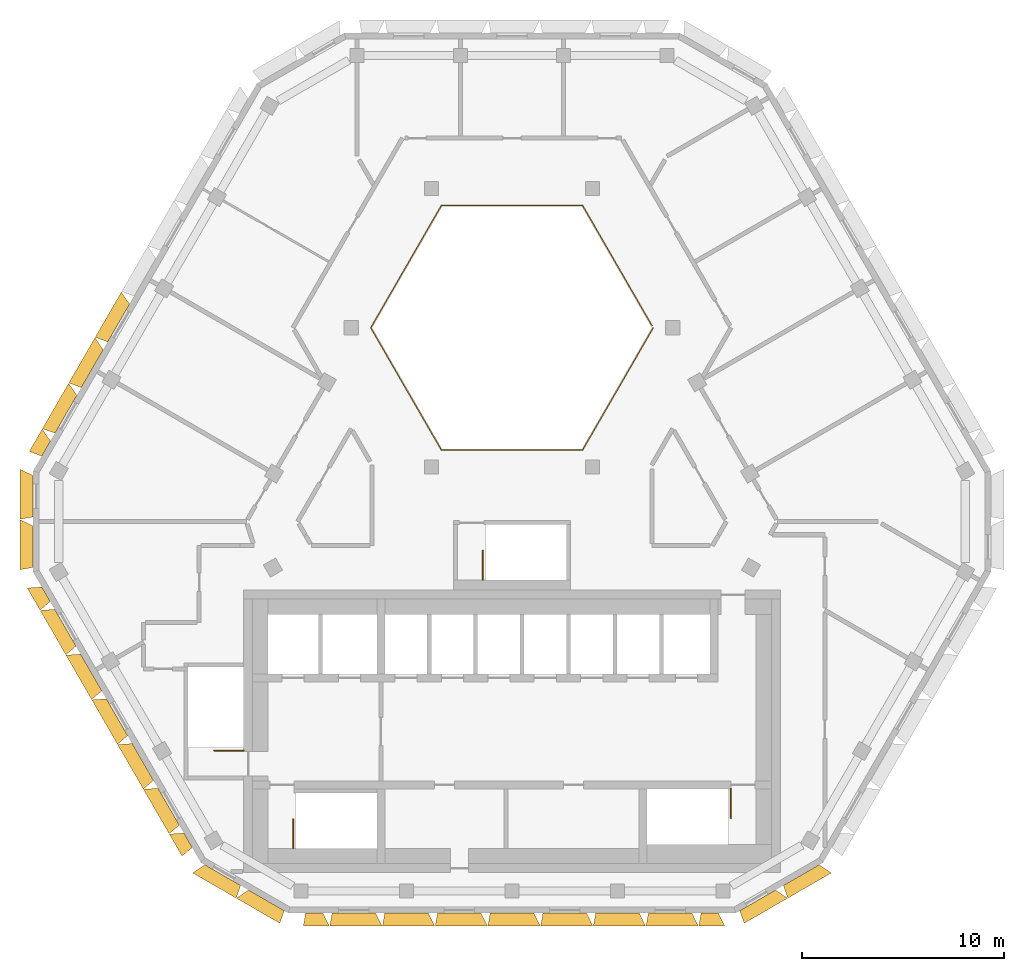
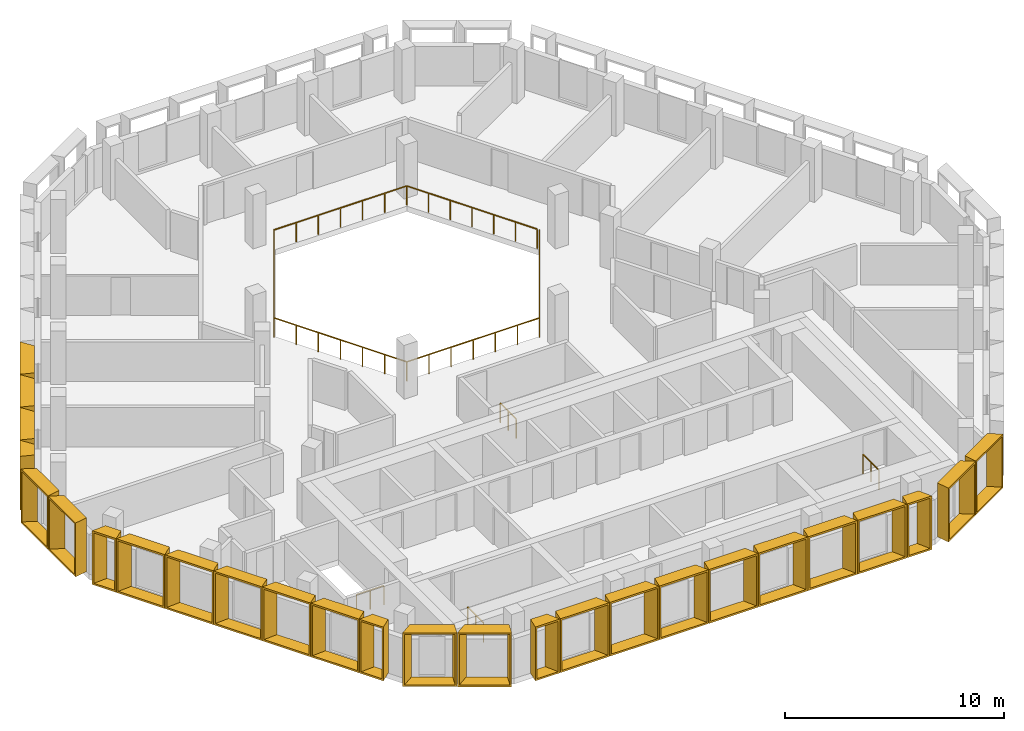
# One storey, part 6 of 7: 26 shading devices, 5 railings.
"""IFC4 building model written with IfcOpenShell, lengths in metres."""

from ifc_helpers import new_model, entity, si_unit, direction, frame, origin, origin_2d, place, context, subcontext, project, spatial, rectangle, extrude, source, transform, mapped, material, type_object, type_shapes, element, save


model = new_model("IFC4")

# Units and contexts
model_context = context("Model", 3, precision=1e-05, world=origin(), true_north=direction((0.0, 1.0)))
body_context = subcontext(model_context, "Body", "Model", "MODEL_VIEW")
ifc_project = project(units=[si_unit("LENGTHUNIT", "METRE"), si_unit("AREAUNIT", "SQUARE_METRE"), si_unit("VOLUMEUNIT", "CUBIC_METRE"), si_unit("PLANEANGLEUNIT", "RADIAN"), si_unit("MASSUNIT", "GRAM", prefix="KILO")], contexts=[model_context])

# Site, building, storey
site_placement = place(None, origin())
site = spatial("IfcSite", under=ifc_project, at=site_placement, CompositionType="ELEMENT")
building_placement = place(site_placement, origin())
building = spatial("IfcBuilding", under=site, at=building_placement, Name="Beryl Residences", CompositionType="ELEMENT")
storey_placement = place(building_placement, frame((0.0, 0.0, 241.800048828125)))
storey = spatial("IfcBuildingStorey", under=building, at=storey_placement, Name="L75", CompositionType="ELEMENT", Elevation=241.800048828125)

# Railing
ifc_material_1 = material(Name="Stainless steel balustrade with glass infill", Category="steel")
railing_type_1 = type_object("IfcRailingType", Name="EG1 edge guard 1100 mm", PredefinedType="GUARDRAIL", material=ifc_material_1)
railing_1_placement = place(storey_placement, frame((6.9970703125, 8.0, 0.0)))
element("IfcRailing", 1, at=railing_1_placement, inside=storey, type_object=railing_type_1, Name="L75 atrium guard", PredefinedType="GUARDRAIL", context=body_context, shape_type="SweptSolid", body=[
    extrude(rectangle(XDim=0.048095703125, YDim=0.048095703125, at=origin_2d()), frame((0.0, 0.0, 1.076171875), z_axis=(-0.499921796684, -0.866070549782, 0.0), x_axis=(0.866070549782, -0.499921796684, 0.0)), (0.0, 0.0, 1.0), 6.9970703125),
    extrude(rectangle(XDim=0.048095703125, YDim=0.048095703125, at=origin_2d()), frame((-3.498046875, -6.06005859375, 1.076171875), z_axis=(-1.0, 0.0, 0.0), x_axis=(0.0, -1.0, 0.0)), (0.0, 0.0, 1.0), 6.998046875),
    extrude(rectangle(XDim=0.048095703125, YDim=0.048095703125, at=origin_2d()), frame((-10.49609375, -6.06005859375, 1.076171875), z_axis=(-0.499921796684, 0.866070549782, 0.0), x_axis=(-0.866070549782, -0.499921796684, 0.0)), (0.0, 0.0, 1.0), 6.9970703125),
    extrude(rectangle(XDim=0.048095703125, YDim=0.048095703125, at=origin_2d()), frame((-13.994140625, 0.0, 1.076171875), z_axis=(0.499921796684, 0.866070549782, 0.0), x_axis=(-0.866070549782, 0.499921796684, 0.0)), (0.0, 0.0, 1.0), 6.9970703125),
    extrude(rectangle(XDim=0.048095703125, YDim=0.048095703125, at=origin_2d()), frame((-10.49609375, 6.06005859375, 1.076171875), z_axis=(1.0, 0.0, 0.0), x_axis=(0.0, 1.0, 0.0)), (0.0, 0.0, 1.0), 6.998046875),
    extrude(rectangle(XDim=0.048095703125, YDim=0.048095703125, at=origin_2d()), frame((-3.498046875, 6.06005859375, 1.076171875), z_axis=(0.499919131929, -0.866072087953, 0.0), x_axis=(0.866072087953, 0.499919131929, 0.0)), (0.0, 0.0, 1.0), 6.877197265625),
    extrude(rectangle(XDim=0.0419921875, YDim=0.0419921875, at=origin_2d()), origin(), (0.0, 0.0, 1.0), 1.052001953125),
    extrude(rectangle(XDim=0.0419921875, YDim=0.0419921875, at=origin_2d()), frame((-0.5830078125, -1.010009765625, 0.0)), (0.0, 0.0, 1.0), 1.052001953125),
    extrude(rectangle(XDim=0.0419921875, YDim=0.0419921875, at=origin_2d()), frame((-1.166015625, -2.02001953125, 0.0)), (0.0, 0.0, 1.0), 1.052001953125),
    extrude(rectangle(XDim=0.0419921875, YDim=0.0419921875, at=origin_2d()), frame((-1.7490234375, -3.030029296875, 0.0)), (0.0, 0.0, 1.0), 1.052001953125),
    extrude(rectangle(XDim=0.0419921875, YDim=0.0419921875, at=origin_2d()), frame((-2.33203125, -4.0400390625, 0.0)), (0.0, 0.0, 1.0), 1.052001953125),
    extrude(rectangle(XDim=0.0419921875, YDim=0.0419921875, at=origin_2d()), frame((-2.9150390625, -5.050048828125, 0.0)), (0.0, 0.0, 1.0), 1.052001953125),
    extrude(rectangle(XDim=0.0419921875, YDim=0.0419921875, at=origin_2d()), frame((-3.498046875, -6.06005859375, 0.0)), (0.0, 0.0, 1.0), 1.052001953125),
    extrude(rectangle(XDim=0.0419921875, YDim=0.0419921875, at=origin_2d()), frame((-4.664306640625, -6.06005859375, 0.0)), (0.0, 0.0, 1.0), 1.052001953125),
    extrude(rectangle(XDim=0.0419921875, YDim=0.0419921875, at=origin_2d()), frame((-5.830810546875, -6.06005859375, 0.0)), (0.0, 0.0, 1.0), 1.052001953125),
    extrude(rectangle(XDim=0.0419921875, YDim=0.0419921875, at=origin_2d()), frame((-6.9970703125, -6.06005859375, 0.0)), (0.0, 0.0, 1.0), 1.052001953125),
    extrude(rectangle(XDim=0.0419921875, YDim=0.0419921875, at=origin_2d()), frame((-8.163330078125, -6.06005859375, 0.0)), (0.0, 0.0, 1.0), 1.052001953125),
    extrude(rectangle(XDim=0.0419921875, YDim=0.0419921875, at=origin_2d()), frame((-9.329833984375, -6.06005859375, 0.0)), (0.0, 0.0, 1.0), 1.052001953125),
    extrude(rectangle(XDim=0.0419921875, YDim=0.0419921875, at=origin_2d()), frame((-10.49609375, -6.06005859375, 0.0)), (0.0, 0.0, 1.0), 1.052001953125),
    extrude(rectangle(XDim=0.0419921875, YDim=0.0419921875, at=origin_2d()), frame((-11.0791015625, -5.050048828125, 0.0)), (0.0, 0.0, 1.0), 1.052001953125),
    extrude(rectangle(XDim=0.0419921875, YDim=0.0419921875, at=origin_2d()), frame((-11.662109375, -4.0400390625, 0.0)), (0.0, 0.0, 1.0), 1.052001953125),
    extrude(rectangle(XDim=0.0419921875, YDim=0.0419921875, at=origin_2d()), frame((-12.2451171875, -3.030029296875, 0.0)), (0.0, 0.0, 1.0), 1.052001953125),
    extrude(rectangle(XDim=0.0419921875, YDim=0.0419921875, at=origin_2d()), frame((-12.828125, -2.02001953125, 0.0)), (0.0, 0.0, 1.0), 1.052001953125),
    extrude(rectangle(XDim=0.0419921875, YDim=0.0419921875, at=origin_2d()), frame((-13.4111328125, -1.010009765625, 0.0)), (0.0, 0.0, 1.0), 1.052001953125),
    extrude(rectangle(XDim=0.0419921875, YDim=0.0419921875, at=origin_2d()), frame((-13.994140625, 0.0, 0.0)), (0.0, 0.0, 1.0), 1.052001953125),
    extrude(rectangle(XDim=0.0419921875, YDim=0.0419921875, at=origin_2d()), frame((-13.4111328125, 1.010009765625, 0.0)), (0.0, 0.0, 1.0), 1.052001953125),
    extrude(rectangle(XDim=0.0419921875, YDim=0.0419921875, at=origin_2d()), frame((-12.828125, 2.02001953125, 0.0)), (0.0, 0.0, 1.0), 1.052001953125),
    extrude(rectangle(XDim=0.0419921875, YDim=0.0419921875, at=origin_2d()), frame((-12.2451171875, 3.030029296875, 0.0)), (0.0, 0.0, 1.0), 1.052001953125),
    extrude(rectangle(XDim=0.0419921875, YDim=0.0419921875, at=origin_2d()), frame((-11.662109375, 4.0400390625, 0.0)), (0.0, 0.0, 1.0), 1.052001953125),
    extrude(rectangle(XDim=0.0419921875, YDim=0.0419921875, at=origin_2d()), frame((-11.0791015625, 5.050048828125, 0.0)), (0.0, 0.0, 1.0), 1.052001953125),
    extrude(rectangle(XDim=0.0419921875, YDim=0.0419921875, at=origin_2d()), frame((-10.49609375, 6.06005859375, 0.0)), (0.0, 0.0, 1.0), 1.052001953125),
    extrude(rectangle(XDim=0.0419921875, YDim=0.0419921875, at=origin_2d()), frame((-9.329833984375, 6.06005859375, 0.0)), (0.0, 0.0, 1.0), 1.052001953125),
    extrude(rectangle(XDim=0.0419921875, YDim=0.0419921875, at=origin_2d()), frame((-8.163330078125, 6.06005859375, 0.0)), (0.0, 0.0, 1.0), 1.052001953125),
    extrude(rectangle(XDim=0.0419921875, YDim=0.0419921875, at=origin_2d()), frame((-6.9970703125, 6.06005859375, 0.0)), (0.0, 0.0, 1.0), 1.052001953125),
    extrude(rectangle(XDim=0.0419921875, YDim=0.0419921875, at=origin_2d()), frame((-5.830810546875, 6.06005859375, 0.0)), (0.0, 0.0, 1.0), 1.052001953125),
    extrude(rectangle(XDim=0.0419921875, YDim=0.0419921875, at=origin_2d()), frame((-4.664306640625, 6.06005859375, 0.0)), (0.0, 0.0, 1.0), 1.052001953125),
    extrude(rectangle(XDim=0.0419921875, YDim=0.0419921875, at=origin_2d()), frame((-3.498046875, 6.06005859375, 0.0)), (0.0, 0.0, 1.0), 1.052001953125),
    extrude(rectangle(XDim=0.0419921875, YDim=0.0419921875, at=origin_2d()), frame((-2.925048828125, 5.0673828125, 0.0)), (0.0, 0.0, 1.0), 1.052001953125),
    extrude(rectangle(XDim=0.0419921875, YDim=0.0419921875, at=origin_2d()), frame((-2.35205078125, 4.07470703125, 0.0)), (0.0, 0.0, 1.0), 1.052001953125),
    extrude(rectangle(XDim=0.0419921875, YDim=0.0419921875, at=origin_2d()), frame((-1.779052734375, 3.08203125, 0.0)), (0.0, 0.0, 1.0), 1.052001953125),
    extrude(rectangle(XDim=0.0419921875, YDim=0.0419921875, at=origin_2d()), frame((-1.2060546875, 2.08935546875, 0.0)), (0.0, 0.0, 1.0), 1.052001953125),
    extrude(rectangle(XDim=0.0419921875, YDim=0.0419921875, at=origin_2d()), frame((-0.633056640625, 1.0966796875, 0.0)), (0.0, 0.0, 1.0), 1.052001953125),
    extrude(rectangle(XDim=0.0419921875, YDim=0.0419921875, at=origin_2d()), frame((-0.06005859375, 0.10400390625, 0.0)), (0.0, 0.0, 1.0), 1.052001953125),
])

# Shading devices
ifc_material_2 = material(Name="Aluminium pale anodised", Category="aluminium")
shading_device_type_1 = type_object("IfcShadingDeviceType", Name="FR128-65B OUTER SKIN frame 650 mm deep, splay 26/10 deg, 1280 x 3000 mm cell", PredefinedType="USERDEFINED", material=ifc_material_2)
cartesian_point_1 = entity("IfcCartesianPoint", [-0.4140625, 0.0])
cartesian_point_2 = entity("IfcCartesianPoint", [-0.324951171875, 0.10009765625])
cartesian_point_3 = entity("IfcCartesianPoint", [-0.73095703125, 0.0])
cartesian_point_4 = entity("IfcCartesianPoint", [-0.64208984375, 0.10009765625])
shared_shape_1 = source(origin(), body_context, "Body", "SweptSolid", [
    entity("IfcExtrudedAreaSolidTapered", entity("IfcArbitraryProfileDefWithVoids", "AREA", None, entity("IfcPolyline", [cartesian_point_1, entity("IfcCartesianPoint", [0.4140625, 0.0]), entity("IfcCartesianPoint", [0.4140625, 3.0]), entity("IfcCartesianPoint", [-0.4140625, 3.0]), cartesian_point_1]), [entity("IfcPolyline", [cartesian_point_2, entity("IfcCartesianPoint", [0.332763671875, 0.10009765625]), entity("IfcCartesianPoint", [0.332763671875, 2.89990234375]), entity("IfcCartesianPoint", [-0.324951171875, 2.89990234375]), cartesian_point_2])]), entity("IfcAxis2Placement3D", entity("IfcCartesianPoint", [0.0, 0.0, 0.0]), entity("IfcDirection", [0.0, 1.0, 0.0]), entity("IfcDirection", [-1.0, 0.0, 0.0])), entity("IfcDirection", [0.0, 0.0, 1.0]), 0.64990234375, entity("IfcArbitraryProfileDefWithVoids", "AREA", None, entity("IfcPolyline", [cartesian_point_3, entity("IfcCartesianPoint", [0.528564453125, 0.0]), entity("IfcCartesianPoint", [0.528564453125, 3.0]), entity("IfcCartesianPoint", [-0.73095703125, 3.0]), cartesian_point_3]), [entity("IfcPolyline", [cartesian_point_4, entity("IfcCartesianPoint", [0.447265625, 0.10009765625]), entity("IfcCartesianPoint", [0.447265625, 2.89990234375]), entity("IfcCartesianPoint", [-0.64208984375, 2.89990234375]), cartesian_point_4])])),
])
type_shapes(shading_device_type_1, [shared_shape_1])
for number, where, z_axis, x_axis, name in (
    (2, (-23.091064453125, -5.2041015625, 0.0), (0.0, 0.0, 1.0), (-0.5, 0.866025403784, 0.0), "FR128-65B frame L75 SW 1"),
    (3, (-16.052978515625, -17.39501953125, 0.0), (0.0, 0.0, 1.0), (-0.5, 0.866025403784, 0.0), "FR128-65B frame L75 SW 7"),
):
    element("IfcShadingDevice", number, at=place(storey_placement, frame(where, z_axis=z_axis, x_axis=x_axis)), inside=storey, type_object=shading_device_type_1, Name=name, ObjectType="OUTER SKIN", PredefinedType="USERDEFINED", context=body_context, shape_type="MappedRepresentation", body=[
        mapped(shared_shape_1, transform((0.0, 0.0, 0.0))),
    ])
ifc_material_3 = material(Name="Aluminium pale anodised", Category="aluminium")
shading_device_type_2 = type_object("IfcShadingDeviceType", Name="FR131-65B OUTER SKIN frame 650 mm deep, splay 26/10 deg, 1310 x 3000 mm cell", PredefinedType="USERDEFINED", material=ifc_material_3)
cartesian_point_5 = entity("IfcCartesianPoint", [-0.428955078125, 0.0])
cartesian_point_6 = entity("IfcCartesianPoint", [-0.340087890625, 0.10009765625])
cartesian_point_7 = entity("IfcCartesianPoint", [-0.74609375, 0.0])
cartesian_point_8 = entity("IfcCartesianPoint", [-0.656982421875, 0.10009765625])
shared_shape_2 = source(origin(), body_context, "Body", "SweptSolid", [
    entity("IfcExtrudedAreaSolidTapered", entity("IfcArbitraryProfileDefWithVoids", "AREA", None, entity("IfcPolyline", [cartesian_point_5, entity("IfcCartesianPoint", [0.428955078125, 0.0]), entity("IfcCartesianPoint", [0.428955078125, 3.0]), entity("IfcCartesianPoint", [-0.428955078125, 3.0]), cartesian_point_5]), [entity("IfcPolyline", [cartesian_point_6, entity("IfcCartesianPoint", [0.34765625, 0.10009765625]), entity("IfcCartesianPoint", [0.34765625, 2.89990234375]), entity("IfcCartesianPoint", [-0.340087890625, 2.89990234375]), cartesian_point_6])]), entity("IfcAxis2Placement3D", entity("IfcCartesianPoint", [0.0, 0.0, 0.0]), entity("IfcDirection", [0.0, 1.0, 0.0]), entity("IfcDirection", [-1.0, 0.0, 0.0])), entity("IfcDirection", [0.0, 0.0, 1.0]), 0.64990234375, entity("IfcArbitraryProfileDefWithVoids", "AREA", None, entity("IfcPolyline", [cartesian_point_7, entity("IfcCartesianPoint", [0.543701171875, 0.0]), entity("IfcCartesianPoint", [0.543701171875, 3.0]), entity("IfcCartesianPoint", [-0.74609375, 3.0]), cartesian_point_7]), [entity("IfcPolyline", [cartesian_point_8, entity("IfcCartesianPoint", [0.46240234375, 0.10009765625]), entity("IfcCartesianPoint", [0.46240234375, 2.89990234375]), entity("IfcCartesianPoint", [-0.656982421875, 2.89990234375]), cartesian_point_8])])),
])
type_shapes(shading_device_type_2, [shared_shape_2])
shading_device_placement = place(storey_placement, frame((-23.083984375, 2.01611328125, 0.0), z_axis=(0.0, 0.0, 1.0), x_axis=(0.5, 0.866025403784, 0.0)))
element("IfcShadingDevice", 4, at=shading_device_placement, inside=storey, type_object=shading_device_type_2, Name="FR131-65B frame L75 NW 9", ObjectType="OUTER SKIN", PredefinedType="USERDEFINED", context=body_context, shape_type="MappedRepresentation", body=[
    mapped(shared_shape_2, transform((0.0, 0.0, 0.0))),
])
ifc_material_4 = material(Name="Aluminium pale anodised", Category="aluminium")
shading_device_type_3 = type_object("IfcShadingDeviceType", Name="FR131-65C OUTER SKIN frame 650 mm deep, splay 10/26 deg, 1310 x 3000 mm cell", PredefinedType="USERDEFINED", material=ifc_material_4)
cartesian_point_9 = entity("IfcCartesianPoint", [-0.428955078125, 0.0])
cartesian_point_10 = entity("IfcCartesianPoint", [-0.34765625, 0.10009765625])
cartesian_point_11 = entity("IfcCartesianPoint", [-0.543701171875, 0.0])
cartesian_point_12 = entity("IfcCartesianPoint", [-0.46240234375, 0.10009765625])
shared_shape_3 = source(origin(), body_context, "Body", "SweptSolid", [
    entity("IfcExtrudedAreaSolidTapered", entity("IfcArbitraryProfileDefWithVoids", "AREA", None, entity("IfcPolyline", [cartesian_point_9, entity("IfcCartesianPoint", [0.428955078125, 0.0]), entity("IfcCartesianPoint", [0.428955078125, 3.0]), entity("IfcCartesianPoint", [-0.428955078125, 3.0]), cartesian_point_9]), [entity("IfcPolyline", [cartesian_point_10, entity("IfcCartesianPoint", [0.340087890625, 0.10009765625]), entity("IfcCartesianPoint", [0.340087890625, 2.89990234375]), entity("IfcCartesianPoint", [-0.34765625, 2.89990234375]), cartesian_point_10])]), entity("IfcAxis2Placement3D", entity("IfcCartesianPoint", [0.0, 0.0, 0.0]), entity("IfcDirection", [0.0, 1.0, 0.0]), entity("IfcDirection", [-1.0, 0.0, 0.0])), entity("IfcDirection", [0.0, 0.0, 1.0]), 0.64990234375, entity("IfcArbitraryProfileDefWithVoids", "AREA", None, entity("IfcPolyline", [cartesian_point_11, entity("IfcCartesianPoint", [0.74609375, 0.0]), entity("IfcCartesianPoint", [0.74609375, 3.0]), entity("IfcCartesianPoint", [-0.543701171875, 3.0]), cartesian_point_11]), [entity("IfcPolyline", [cartesian_point_12, entity("IfcCartesianPoint", [0.656982421875, 0.10009765625]), entity("IfcCartesianPoint", [0.656982421875, 2.89990234375]), entity("IfcCartesianPoint", [-0.46240234375, 2.89990234375]), cartesian_point_12])])),
])
type_shapes(shading_device_type_3, [shared_shape_3])
for number, where, z_axis, x_axis, name in (
    (5, (-9.797119140625, -21.0, 0.0), (0.0, 0.0, 1.0), (-1.0, 0.0, 0.0), "FR131-65C frame L75 S 1"),
    (6, (9.797119140625, -21.0, 0.0), (0.0, 0.0, 1.0), (-1.0, 0.0, 0.0), "FR131-65C frame L75 S 9"),
):
    element("IfcShadingDevice", number, at=place(storey_placement, frame(where, z_axis=z_axis, x_axis=x_axis)), inside=storey, type_object=shading_device_type_3, Name=name, ObjectType="OUTER SKIN", PredefinedType="USERDEFINED", context=body_context, shape_type="MappedRepresentation", body=[
        mapped(shared_shape_3, transform((0.0, 0.0, 0.0))),
    ])
ifc_material_5 = material(Name="Aluminium pale anodised", Category="aluminium")
shading_device_type_4 = type_object("IfcShadingDeviceType", Name="FR250-65B OUTER SKIN frame 650 mm deep, splay 26/10 deg, 2500 x 3000 mm cell", PredefinedType="USERDEFINED", material=ifc_material_5)
cartesian_point_13 = entity("IfcCartesianPoint", [-1.02392578125, 0.0])
cartesian_point_14 = entity("IfcCartesianPoint", [-0.93505859375, 0.10009765625])
cartesian_point_15 = entity("IfcCartesianPoint", [-1.341064453125, 0.0])
cartesian_point_16 = entity("IfcCartesianPoint", [-1.251953125, 0.10009765625])
shared_shape_4 = source(origin(), body_context, "Body", "SweptSolid", [
    entity("IfcExtrudedAreaSolidTapered", entity("IfcArbitraryProfileDefWithVoids", "AREA", None, entity("IfcPolyline", [cartesian_point_13, entity("IfcCartesianPoint", [1.02392578125, 0.0]), entity("IfcCartesianPoint", [1.02392578125, 3.0]), entity("IfcCartesianPoint", [-1.02392578125, 3.0]), cartesian_point_13]), [entity("IfcPolyline", [cartesian_point_14, entity("IfcCartesianPoint", [0.94287109375, 0.10009765625]), entity("IfcCartesianPoint", [0.94287109375, 2.89990234375]), entity("IfcCartesianPoint", [-0.93505859375, 2.89990234375]), cartesian_point_14])]), entity("IfcAxis2Placement3D", entity("IfcCartesianPoint", [0.0, 0.0, 0.0]), entity("IfcDirection", [0.0, 1.0, 0.0]), entity("IfcDirection", [-1.0, 0.0, 0.0])), entity("IfcDirection", [0.0, 0.0, 1.0]), 0.64990234375, entity("IfcArbitraryProfileDefWithVoids", "AREA", None, entity("IfcPolyline", [cartesian_point_15, entity("IfcCartesianPoint", [1.138671875, 0.0]), entity("IfcCartesianPoint", [1.138671875, 3.0]), entity("IfcCartesianPoint", [-1.341064453125, 3.0]), cartesian_point_15]), [entity("IfcPolyline", [cartesian_point_16, entity("IfcCartesianPoint", [1.057373046875, 0.10009765625]), entity("IfcCartesianPoint", [1.057373046875, 2.89990234375]), entity("IfcCartesianPoint", [-1.251953125, 2.89990234375]), cartesian_point_16])])),
])
type_shapes(shading_device_type_4, [shared_shape_4])
for number, where, z_axis, x_axis, name in (
    (7, (-23.72900390625, -0.35009765625, 0.0), (0.0, 0.0, 1.0), (0.0, 1.0, 0.0), "FR250-65B frame L75 NW-SW 1"),
    (8, (-23.72900390625, -2.85009765625, 0.0), (0.0, 0.0, 1.0), (0.0, 1.0, 0.0), "FR250-65B frame L75 NW-SW 2"),
    (9, (-14.33203125, -19.125, 0.0), (0.0, 0.0, 1.0), (-0.866025403784, 0.5, 0.0), "FR250-65B frame L75 SW-S 1"),
    (10, (-12.16796875, -20.375, 0.0), (0.0, 0.0, 1.0), (-0.866025403784, 0.5, 0.0), "FR250-65B frame L75 SW-S 2"),
):
    element("IfcShadingDevice", number, at=place(storey_placement, frame(where, z_axis=z_axis, x_axis=x_axis)), inside=storey, type_object=shading_device_type_4, Name=name, ObjectType="OUTER SKIN", PredefinedType="USERDEFINED", context=body_context, shape_type="MappedRepresentation", body=[
        mapped(shared_shape_4, transform((0.0, 0.0, 0.0))),
    ])
ifc_material_6 = material(Name="Aluminium pale anodised", Category="aluminium")
shading_device_type_5 = type_object("IfcShadingDeviceType", Name="FR250-65C OUTER SKIN frame 650 mm deep, splay 10/26 deg, 2500 x 3000 mm cell", PredefinedType="USERDEFINED", material=ifc_material_6)
cartesian_point_17 = entity("IfcCartesianPoint", [-1.02392578125, 0.0])
cartesian_point_18 = entity("IfcCartesianPoint", [-0.94287109375, 0.10009765625])
cartesian_point_19 = entity("IfcCartesianPoint", [-1.138671875, 0.0])
cartesian_point_20 = entity("IfcCartesianPoint", [-1.057373046875, 0.10009765625])
shared_shape_5 = source(origin(), body_context, "Body", "SweptSolid", [
    entity("IfcExtrudedAreaSolidTapered", entity("IfcArbitraryProfileDefWithVoids", "AREA", None, entity("IfcPolyline", [cartesian_point_17, entity("IfcCartesianPoint", [1.02392578125, 0.0]), entity("IfcCartesianPoint", [1.02392578125, 3.0]), entity("IfcCartesianPoint", [-1.02392578125, 3.0]), cartesian_point_17]), [entity("IfcPolyline", [cartesian_point_18, entity("IfcCartesianPoint", [0.93505859375, 0.10009765625]), entity("IfcCartesianPoint", [0.93505859375, 2.89990234375]), entity("IfcCartesianPoint", [-0.94287109375, 2.89990234375]), cartesian_point_18])]), entity("IfcAxis2Placement3D", entity("IfcCartesianPoint", [0.0, 0.0, 0.0]), entity("IfcDirection", [0.0, 1.0, 0.0]), entity("IfcDirection", [-1.0, 0.0, 0.0])), entity("IfcDirection", [0.0, 0.0, 1.0]), 0.64990234375, entity("IfcArbitraryProfileDefWithVoids", "AREA", None, entity("IfcPolyline", [cartesian_point_19, entity("IfcCartesianPoint", [1.341064453125, 0.0]), entity("IfcCartesianPoint", [1.341064453125, 3.0]), entity("IfcCartesianPoint", [-1.138671875, 3.0]), cartesian_point_19]), [entity("IfcPolyline", [cartesian_point_20, entity("IfcCartesianPoint", [1.251953125, 0.10009765625]), entity("IfcCartesianPoint", [1.251953125, 2.89990234375]), entity("IfcCartesianPoint", [-1.057373046875, 2.89990234375]), cartesian_point_20])])),
])
type_shapes(shading_device_type_5, [shared_shape_5])
for number, where, z_axis, x_axis, name in (
    (11, (12.16796875, -20.375, 0.0), (0.0, 0.0, 1.0), (-0.866025403784, -0.5, 0.0), "FR250-65C frame L75 S-SE 1"),
    (12, (14.33203125, -19.125, 0.0), (0.0, 0.0, 1.0), (-0.866025403784, -0.5, 0.0), "FR250-65C frame L75 S-SE 2"),
):
    element("IfcShadingDevice", number, at=place(storey_placement, frame(where, z_axis=z_axis, x_axis=x_axis)), inside=storey, type_object=shading_device_type_5, Name=name, ObjectType="OUTER SKIN", PredefinedType="USERDEFINED", context=body_context, shape_type="MappedRepresentation", body=[
        mapped(shared_shape_5, transform((0.0, 0.0, 0.0))),
    ])
ifc_material_7 = material(Name="Aluminium pale anodised", Category="aluminium")
shading_device_type_6 = type_object("IfcShadingDeviceType", Name="FR256-65B OUTER SKIN frame 650 mm deep, splay 26/10 deg, 2560 x 3000 mm cell", PredefinedType="USERDEFINED", material=ifc_material_7)
cartesian_point_21 = entity("IfcCartesianPoint", [-1.053955078125, 0.0])
cartesian_point_22 = entity("IfcCartesianPoint", [-0.965087890625, 0.10009765625])
cartesian_point_23 = entity("IfcCartesianPoint", [-1.37109375, 0.0])
cartesian_point_24 = entity("IfcCartesianPoint", [-1.281982421875, 0.10009765625])
shared_shape_6 = source(origin(), body_context, "Body", "SweptSolid", [
    entity("IfcExtrudedAreaSolidTapered", entity("IfcArbitraryProfileDefWithVoids", "AREA", None, entity("IfcPolyline", [cartesian_point_21, entity("IfcCartesianPoint", [1.053955078125, 0.0]), entity("IfcCartesianPoint", [1.053955078125, 3.0]), entity("IfcCartesianPoint", [-1.053955078125, 3.0]), cartesian_point_21]), [entity("IfcPolyline", [cartesian_point_22, entity("IfcCartesianPoint", [0.97265625, 0.10009765625]), entity("IfcCartesianPoint", [0.97265625, 2.89990234375]), entity("IfcCartesianPoint", [-0.965087890625, 2.89990234375]), cartesian_point_22])]), entity("IfcAxis2Placement3D", entity("IfcCartesianPoint", [0.0, 0.0, 0.0]), entity("IfcDirection", [0.0, 1.0, 0.0]), entity("IfcDirection", [-1.0, 0.0, 0.0])), entity("IfcDirection", [0.0, 0.0, 1.0]), 0.64990234375, entity("IfcArbitraryProfileDefWithVoids", "AREA", None, entity("IfcPolyline", [cartesian_point_23, entity("IfcCartesianPoint", [1.168701171875, 0.0]), entity("IfcCartesianPoint", [1.168701171875, 3.0]), entity("IfcCartesianPoint", [-1.37109375, 3.0]), cartesian_point_23]), [entity("IfcPolyline", [cartesian_point_24, entity("IfcCartesianPoint", [1.08740234375, 0.10009765625]), entity("IfcCartesianPoint", [1.08740234375, 2.89990234375]), entity("IfcCartesianPoint", [-1.281982421875, 2.89990234375]), cartesian_point_24])])),
])
type_shapes(shading_device_type_6, [shared_shape_6])
for number, where, z_axis, x_axis, name in (
    (13, (-22.132080078125, -6.865966796875, 0.0), (0.0, 0.0, 1.0), (-0.5, 0.866025403784, 0.0), "FR256-65B frame L75 SW 2"),
    (14, (-20.85205078125, -9.0830078125, 0.0), (0.0, 0.0, 1.0), (-0.5, 0.866025403784, 0.0), "FR256-65B frame L75 SW 3"),
    (15, (-19.572021484375, -11.300048828125, 0.0), (0.0, 0.0, 1.0), (-0.5, 0.866025403784, 0.0), "FR256-65B frame L75 SW 4"),
    (16, (-18.29296875, -13.51611328125, 0.0), (0.0, 0.0, 1.0), (-0.5, 0.866025403784, 0.0), "FR256-65B frame L75 SW 5"),
    (17, (-17.012939453125, -15.73291015625, 0.0), (0.0, 0.0, 1.0), (-0.5, 0.866025403784, 0.0), "FR256-65B frame L75 SW 6"),
):
    element("IfcShadingDevice", number, at=place(storey_placement, frame(where, z_axis=z_axis, x_axis=x_axis)), inside=storey, type_object=shading_device_type_6, Name=name, ObjectType="OUTER SKIN", PredefinedType="USERDEFINED", context=body_context, shape_type="MappedRepresentation", body=[
        mapped(shared_shape_6, transform((0.0, 0.0, 0.0))),
    ])
ifc_material_8 = material(Name="Aluminium pale anodised", Category="aluminium")
shading_device_type_7 = type_object("IfcShadingDeviceType", Name="FR261-65B OUTER SKIN frame 650 mm deep, splay 26/10 deg, 2610 x 3000 mm cell", PredefinedType="USERDEFINED", material=ifc_material_8)
cartesian_point_25 = entity("IfcCartesianPoint", [-1.0791015625, 0.0])
cartesian_point_26 = entity("IfcCartesianPoint", [-0.989990234375, 0.10009765625])
cartesian_point_27 = entity("IfcCartesianPoint", [-1.39599609375, 0.0])
cartesian_point_28 = entity("IfcCartesianPoint", [-1.30712890625, 0.10009765625])
shared_shape_7 = source(origin(), body_context, "Body", "SweptSolid", [
    entity("IfcExtrudedAreaSolidTapered", entity("IfcArbitraryProfileDefWithVoids", "AREA", None, entity("IfcPolyline", [cartesian_point_25, entity("IfcCartesianPoint", [1.0791015625, 0.0]), entity("IfcCartesianPoint", [1.0791015625, 3.0]), entity("IfcCartesianPoint", [-1.0791015625, 3.0]), cartesian_point_25]), [entity("IfcPolyline", [cartesian_point_26, entity("IfcCartesianPoint", [0.997802734375, 0.10009765625]), entity("IfcCartesianPoint", [0.997802734375, 2.89990234375]), entity("IfcCartesianPoint", [-0.989990234375, 2.89990234375]), cartesian_point_26])]), entity("IfcAxis2Placement3D", entity("IfcCartesianPoint", [0.0, 0.0, 0.0]), entity("IfcDirection", [0.0, 1.0, 0.0]), entity("IfcDirection", [-1.0, 0.0, 0.0])), entity("IfcDirection", [0.0, 0.0, 1.0]), 0.64990234375, entity("IfcArbitraryProfileDefWithVoids", "AREA", None, entity("IfcPolyline", [cartesian_point_27, entity("IfcCartesianPoint", [1.193603515625, 0.0]), entity("IfcCartesianPoint", [1.193603515625, 3.0]), entity("IfcCartesianPoint", [-1.39599609375, 3.0]), cartesian_point_27]), [entity("IfcPolyline", [cartesian_point_28, entity("IfcCartesianPoint", [1.1123046875, 0.10009765625]), entity("IfcCartesianPoint", [1.1123046875, 2.89990234375]), entity("IfcCartesianPoint", [-1.30712890625, 2.89990234375]), cartesian_point_28])])),
])
type_shapes(shading_device_type_7, [shared_shape_7])
for number, where, z_axis, x_axis, name in (
    (18, (-19.491943359375, 8.237060546875, 0.0), (0.0, 0.0, 1.0), (0.5, 0.866025403784, 0.0), "FR261-65B frame L75 NW 6"),
    (19, (-20.798095703125, 5.97509765625, 0.0), (0.0, 0.0, 1.0), (0.5, 0.866025403784, 0.0), "FR261-65B frame L75 NW 7"),
    (20, (-22.10498046875, 3.7119140625, 0.0), (0.0, 0.0, 1.0), (0.5, 0.866025403784, 0.0), "FR261-65B frame L75 NW 8"),
):
    element("IfcShadingDevice", number, at=place(storey_placement, frame(where, z_axis=z_axis, x_axis=x_axis)), inside=storey, type_object=shading_device_type_7, Name=name, ObjectType="OUTER SKIN", PredefinedType="USERDEFINED", context=body_context, shape_type="MappedRepresentation", body=[
        mapped(shared_shape_7, transform((0.0, 0.0, 0.0))),
    ])
ifc_material_9 = material(Name="Aluminium pale anodised", Category="aluminium")
shading_device_type_8 = type_object("IfcShadingDeviceType", Name="FR261-65C OUTER SKIN frame 650 mm deep, splay 10/26 deg, 2610 x 3000 mm cell", PredefinedType="USERDEFINED", material=ifc_material_9)
cartesian_point_29 = entity("IfcCartesianPoint", [-1.0791015625, 0.0])
cartesian_point_30 = entity("IfcCartesianPoint", [-0.997802734375, 0.10009765625])
cartesian_point_31 = entity("IfcCartesianPoint", [-1.193603515625, 0.0])
cartesian_point_32 = entity("IfcCartesianPoint", [-1.1123046875, 0.10009765625])
shared_shape_8 = source(origin(), body_context, "Body", "SweptSolid", [
    entity("IfcExtrudedAreaSolidTapered", entity("IfcArbitraryProfileDefWithVoids", "AREA", None, entity("IfcPolyline", [cartesian_point_29, entity("IfcCartesianPoint", [1.0791015625, 0.0]), entity("IfcCartesianPoint", [1.0791015625, 3.0]), entity("IfcCartesianPoint", [-1.0791015625, 3.0]), cartesian_point_29]), [entity("IfcPolyline", [cartesian_point_30, entity("IfcCartesianPoint", [0.989990234375, 0.10009765625]), entity("IfcCartesianPoint", [0.989990234375, 2.89990234375]), entity("IfcCartesianPoint", [-0.997802734375, 2.89990234375]), cartesian_point_30])]), entity("IfcAxis2Placement3D", entity("IfcCartesianPoint", [0.0, 0.0, 0.0]), entity("IfcDirection", [0.0, 1.0, 0.0]), entity("IfcDirection", [-1.0, 0.0, 0.0])), entity("IfcDirection", [0.0, 0.0, 1.0]), 0.64990234375, entity("IfcArbitraryProfileDefWithVoids", "AREA", None, entity("IfcPolyline", [cartesian_point_31, entity("IfcCartesianPoint", [1.39599609375, 0.0]), entity("IfcCartesianPoint", [1.39599609375, 3.0]), entity("IfcCartesianPoint", [-1.193603515625, 3.0]), cartesian_point_31]), [entity("IfcPolyline", [cartesian_point_32, entity("IfcCartesianPoint", [1.30712890625, 0.10009765625]), entity("IfcCartesianPoint", [1.30712890625, 2.89990234375]), entity("IfcCartesianPoint", [-1.1123046875, 2.89990234375]), cartesian_point_32])])),
])
type_shapes(shading_device_type_8, [shared_shape_8])
for number, where, z_axis, x_axis, name in (
    (21, (-7.8369140625, -21.0, 0.0), (0.0, 0.0, 1.0), (-1.0, 0.0, 0.0), "FR261-65C frame L75 S 2"),
    (22, (-5.22509765625, -21.0, 0.0), (0.0, 0.0, 1.0), (-1.0, 0.0, 0.0), "FR261-65C frame L75 S 3"),
    (23, (-2.612060546875, -21.0, 0.0), (0.0, 0.0, 1.0), (-1.0, 0.0, 0.0), "FR261-65C frame L75 S 4"),
    (24, (0.0, -21.0, 0.0), (0.0, 0.0, 1.0), (-1.0, 0.0, 0.0), "FR261-65C frame L75 S 5"),
    (25, (2.612060546875, -21.0, 0.0), (0.0, 0.0, 1.0), (-1.0, 0.0, 0.0), "FR261-65C frame L75 S 6"),
    (26, (5.22509765625, -21.0, 0.0), (0.0, 0.0, 1.0), (-1.0, 0.0, 0.0), "FR261-65C frame L75 S 7"),
    (27, (7.8369140625, -21.0, 0.0), (0.0, 0.0, 1.0), (-1.0, 0.0, 0.0), "FR261-65C frame L75 S 8"),
):
    element("IfcShadingDevice", number, at=place(storey_placement, frame(where, z_axis=z_axis, x_axis=x_axis)), inside=storey, type_object=shading_device_type_8, Name=name, ObjectType="OUTER SKIN", PredefinedType="USERDEFINED", context=body_context, shape_type="MappedRepresentation", body=[
        mapped(shared_shape_8, transform((0.0, 0.0, 0.0))),
    ])

# Railings
ifc_material_10 = material(Name="Stainless steel balustrade with glass infill", Category="steel")
railing_type_2 = type_object("IfcRailingType", Name="SG1 stair guard 1100 mm", PredefinedType="GUARDRAIL", material=ifc_material_10)
railing_2_placement = place(storey_placement, frame((-10.85009765625, -17.800048828125, 0.0)))
element("IfcRailing", 28, at=railing_2_placement, inside=storey, type_object=railing_type_2, Name="L75 ST-1 top well guard 1", PredefinedType="GUARDRAIL", context=body_context, shape_type="SweptSolid", body=[
    extrude(rectangle(XDim=0.048095703125, YDim=0.048095703125, at=origin_2d()), frame((0.0, 0.0, 1.076171875), z_axis=(0.0, 1.0, 0.0), x_axis=(-1.0, 0.0, 0.0)), (0.0, 0.0, 1.0), 1.449951171875),
    extrude(rectangle(XDim=0.0419921875, YDim=0.0419921875, at=origin_2d()), origin(), (0.0, 0.0, 1.0), 1.052001953125),
    extrude(rectangle(XDim=0.0419921875, YDim=0.0419921875, at=origin_2d()), frame((0.0, 0.72509765625, 0.0)), (0.0, 0.0, 1.0), 1.052001953125),
    extrude(rectangle(XDim=0.0419921875, YDim=0.0419921875, at=origin_2d()), frame((0.0, 1.449951171875, 0.0)), (0.0, 0.0, 1.0), 1.052001953125),
])
railing_3_placement = place(storey_placement, frame((-13.300048828125, -12.949951171875, 0.0)))
element("IfcRailing", 29, at=railing_3_placement, inside=storey, type_object=railing_type_2, Name="L75 ST-2 top well guard 1", PredefinedType="GUARDRAIL", context=body_context, shape_type="SweptSolid", body=[
    extrude(rectangle(XDim=0.048095703125, YDim=0.048095703125, at=origin_2d()), frame((0.0, 0.0, 1.076171875), z_axis=(-1.0, 0.0, 0.0), x_axis=(0.0, -1.0, 0.0)), (0.0, 0.0, 1.0), 1.449951171875),
    extrude(rectangle(XDim=0.0419921875, YDim=0.0419921875, at=origin_2d()), origin(), (0.0, 0.0, 1.0), 1.052001953125),
    extrude(rectangle(XDim=0.0419921875, YDim=0.0419921875, at=origin_2d()), frame((-0.72509765625, 0.0, 0.0)), (0.0, 0.0, 1.0), 1.052001953125),
    extrude(rectangle(XDim=0.0419921875, YDim=0.0419921875, at=origin_2d()), frame((-1.449951171875, 0.0, 0.0)), (0.0, 0.0, 1.0), 1.052001953125),
])
railing_4_placement = place(storey_placement, frame((10.85009765625, -14.85009765625, 0.0)))
element("IfcRailing", 30, at=railing_4_placement, inside=storey, type_object=railing_type_2, Name="L75 ST-3 top well guard 1", PredefinedType="GUARDRAIL", context=body_context, shape_type="SweptSolid", body=[
    extrude(rectangle(XDim=0.048095703125, YDim=0.048095703125, at=origin_2d()), frame((0.0, 0.0, 1.076171875), z_axis=(0.0, -1.0, 0.0), x_axis=(1.0, 0.0, 0.0)), (0.0, 0.0, 1.0), 1.449951171875),
    extrude(rectangle(XDim=0.0419921875, YDim=0.0419921875, at=origin_2d()), origin(), (0.0, 0.0, 1.0), 1.052001953125),
    extrude(rectangle(XDim=0.0419921875, YDim=0.0419921875, at=origin_2d()), frame((0.0, -0.72509765625, 0.0)), (0.0, 0.0, 1.0), 1.052001953125),
    extrude(rectangle(XDim=0.0419921875, YDim=0.0419921875, at=origin_2d()), frame((0.0, -1.449951171875, 0.0)), (0.0, 0.0, 1.0), 1.052001953125),
])
railing_5_placement = place(storey_placement, frame((-1.449951171875, -4.5, 0.0)))
element("IfcRailing", 31, at=railing_5_placement, inside=storey, type_object=railing_type_2, Name="L75 ST-4 top well guard 1", PredefinedType="GUARDRAIL", context=body_context, shape_type="SweptSolid", body=[
    extrude(rectangle(XDim=0.048095703125, YDim=0.048095703125, at=origin_2d()), frame((0.0, 0.0, 1.076171875), z_axis=(0.0, 1.0, 0.0), x_axis=(-1.0, 0.0, 0.0)), (0.0, 0.0, 1.0), 1.449951171875),
    extrude(rectangle(XDim=0.0419921875, YDim=0.0419921875, at=origin_2d()), origin(), (0.0, 0.0, 1.0), 1.052001953125),
    extrude(rectangle(XDim=0.0419921875, YDim=0.0419921875, at=origin_2d()), frame((0.0, 0.72509765625, 0.0)), (0.0, 0.0, 1.0), 1.052001953125),
    extrude(rectangle(XDim=0.0419921875, YDim=0.0419921875, at=origin_2d()), frame((0.0, 1.449951171875, 0.0)), (0.0, 0.0, 1.0), 1.052001953125),
])

save(model, "model.ifc")
